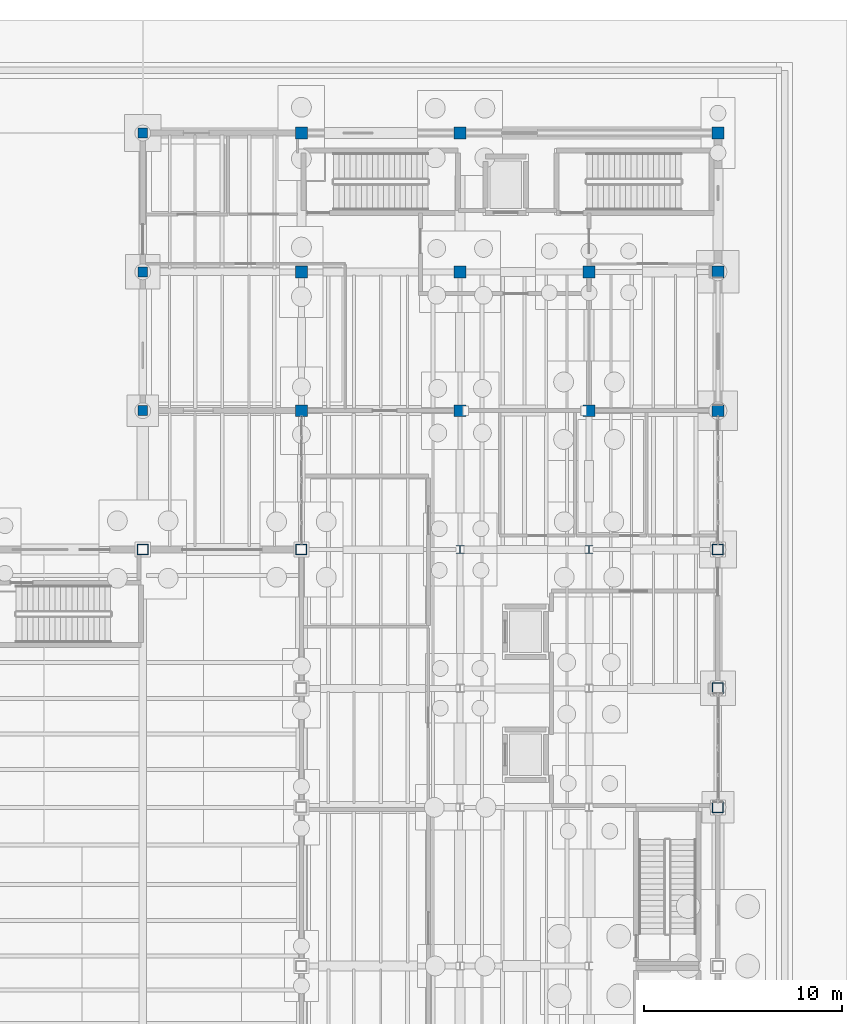
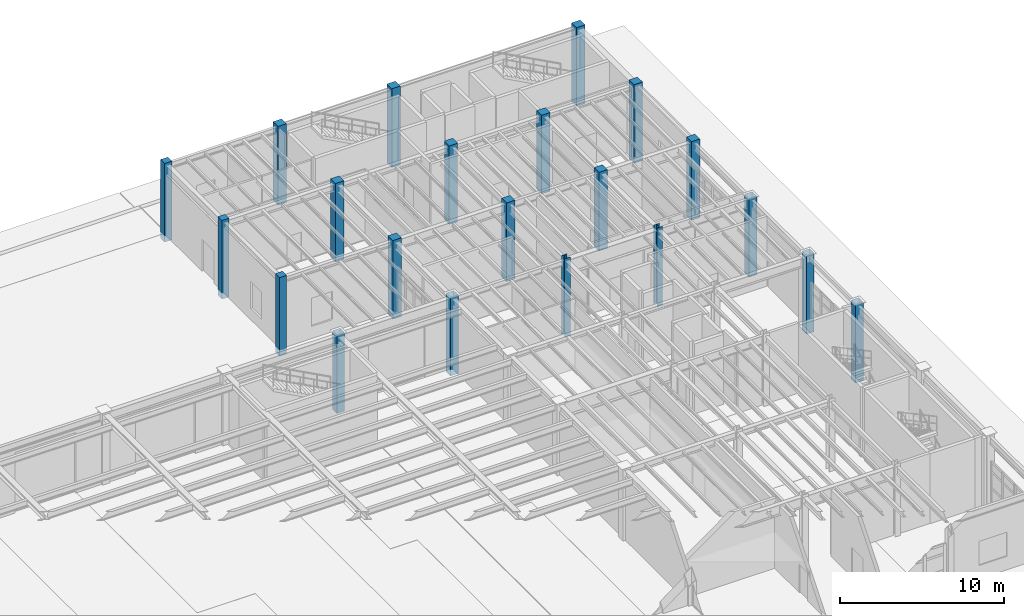
# One storey, part 20 of 86: 21 columns.
"""IFC4 building model written with IfcOpenShell, lengths in metres."""

from ifc_helpers import new_model, si_unit, direction, frame, origin, origin_2d, place, context, subcontext, project, spatial, rectangle, hollow_rectangle, i_section, extrude, material, material_profile, profile_set, type_object, element, save


model = new_model("IFC4")

# Units and contexts
model_context = context("Model", 3, precision=1e-05, world=origin(), true_north=direction((0.0, 1.0)))
body_context = subcontext(model_context, "Body", "Model", "MODEL_VIEW")
ifc_project = project(units=[si_unit("LENGTHUNIT", "METRE"), si_unit("AREAUNIT", "SQUARE_METRE"), si_unit("VOLUMEUNIT", "CUBIC_METRE"), si_unit("PLANEANGLEUNIT", "RADIAN"), si_unit("MASSUNIT", "GRAM", prefix="KILO"), si_unit("THERMODYNAMICTEMPERATUREUNIT", "KELVIN"), si_unit("POWERUNIT", "WATT")], contexts=[model_context])

# Site, building, storey
site_placement = place(None, origin())
site = spatial("IfcSite", under=ifc_project, at=site_placement, CompositionType="ELEMENT")
building_placement = place(site_placement, origin())
building = spatial("IfcBuilding", under=site, at=building_placement, Name="Zhenchuan Central Fire Station", CompositionType="ELEMENT")
storey_placement = place(building_placement, frame((0.0, 0.0, 0.449951171875)))
storey = spatial("IfcBuildingStorey", under=building, at=storey_placement, Name="L01", CompositionType="ELEMENT", Elevation=0.449951171875)

# Columns
ifc_material_1 = material(Name="Steel Q355B", Category="steel")
ifc_material_profile_1 = material_profile(ifc_material_1, hollow_rectangle(XDim=0.550048828125, YDim=0.550048828125, WallThickness=0.02587890625, at=origin_2d()), Name="BOX 550x550x26")
ifc_profile_set_1 = profile_set([ifc_material_profile_1], Name="Steel Q355B")
column_type_1 = type_object("IfcColumnType", Name="COL-BOX550", PredefinedType="COLUMN", material=ifc_profile_set_1)
for number, where, z_axis, x_axis, name in (
    (1, (132.0, 35.5, -0.449951171875), (0.0, 0.0, 1.0), (1.0, 0.0, 0.0), "L01 Column 096"),
    (2, (140.0, 35.5, -0.449951171875), (0.0, 0.0, 1.0), (1.0, 0.0, 0.0), "L01 Column 105"),
):
    element("IfcColumn", number, at=place(storey_placement, frame(where, z_axis=z_axis, x_axis=x_axis)), inside=storey, type_object=column_type_1, Name=name, PredefinedType="COLUMN", context=body_context, shape_type="SweptSolid", body=[
        extrude(hollow_rectangle(XDim=0.550048828125, YDim=0.550048828125, WallThickness=0.02587890625, at=origin_2d()), origin(), (0.0, 0.0, 1.0), 5.85009765625),
    ])
ifc_material_profile_2 = material_profile(ifc_material_1, hollow_rectangle(XDim=0.550048828125, YDim=0.550048828125, WallThickness=0.02587890625, at=origin_2d()), Name="BOX 550x550x26")
ifc_profile_set_2 = profile_set([ifc_material_profile_2], Name="Steel Q355B")
column_type_2 = type_object("IfcColumnType", Name="COL-BOX550-EXT", PredefinedType="COLUMN", material=ifc_profile_set_2)
for number, where, z_axis, x_axis, name in (
    (3, (161.0, 22.5, -0.449951171875), (0.0, 0.0, 1.0), (1.0, 0.0, 0.0), "L01 Column 129"),
    (4, (161.0, 28.5, -0.449951171875), (0.0, 0.0, 1.0), (1.0, 0.0, 0.0), "L01 Column 130"),
    (5, (161.0, 35.5, -0.449951171875), (0.0, 0.0, 1.0), (1.0, 0.0, 0.0), "L01 Column 131"),
):
    element("IfcColumn", number, at=place(storey_placement, frame(where, z_axis=z_axis, x_axis=x_axis)), inside=storey, type_object=column_type_2, Name=name, PredefinedType="COLUMN", context=body_context, shape_type="SweptSolid", body=[
        extrude(hollow_rectangle(XDim=0.550048828125, YDim=0.550048828125, WallThickness=0.02587890625, at=origin_2d()), origin(), (0.0, 0.0, 1.0), 5.85009765625),
    ])
ifc_material_profile_3 = material_profile(ifc_material_1, i_section(OverallWidth=0.39990234375, OverallDepth=0.39990234375, WebThickness=0.012939453125, FlangeThickness=0.02099609375, FilletRadius=0.02197265625, at=origin_2d()), Name="HW 400x400")
ifc_profile_set_3 = profile_set([ifc_material_profile_3], Name="Steel Q355B")
column_type_3 = type_object("IfcColumnType", Name="COL-HW400-INT", PredefinedType="COLUMN", material=ifc_profile_set_3)
for number, where, z_axis, x_axis, name in (
    (6, (148.0, 35.5, -0.449951171875), (0.0, 0.0, 1.0), (1.0, 0.0, 0.0), "L01 Column 114"),
    (7, (154.5, 35.5, -0.449951171875), (0.0, 0.0, 1.0), (1.0, 0.0, 0.0), "L01 Column 123"),
):
    element("IfcColumn", number, at=place(storey_placement, frame(where, z_axis=z_axis, x_axis=x_axis)), inside=storey, type_object=column_type_3, Name=name, PredefinedType="COLUMN", context=body_context, shape_type="SweptSolid", body=[
        extrude(i_section(OverallWidth=0.39990234375, OverallDepth=0.39990234375, WebThickness=0.012939453125, FlangeThickness=0.02099609375, FilletRadius=0.02197265625, at=origin_2d()), origin(), (0.0, 0.0, 1.0), 5.85009765625),
    ])
ifc_material_2 = material(Name="Concrete C40/50", Category="concrete")
ifc_material_profile_4 = material_profile(ifc_material_2, rectangle(XDim=0.5, YDim=0.5, at=origin_2d()), Name="RC 500x500")
ifc_profile_set_4 = profile_set([ifc_material_profile_4], Name="Concrete C40/50")
column_type_4 = type_object("IfcColumnType", Name="COL-RC500", PredefinedType="COLUMN", material=ifc_profile_set_4)
for number, where, z_axis, x_axis, name in (
    (8, (132.0, 42.5, -0.449951171875), (0.0, 0.0, 1.0), (1.0, 0.0, 0.0), "L01 Column 097"),
    (9, (132.0, 49.5, -0.449951171875), (0.0, 0.0, 1.0), (1.0, 0.0, 0.0), "L01 Column 098"),
):
    element("IfcColumn", number, at=place(storey_placement, frame(where, z_axis=z_axis, x_axis=x_axis)), inside=storey, type_object=column_type_4, Name=name, PredefinedType="COLUMN", context=body_context, shape_type="SweptSolid", body=[
        extrude(rectangle(XDim=0.5, YDim=0.5, at=origin_2d()), origin(), (0.0, 0.0, 1.0), 5.85009765625),
    ])
ifc_material_profile_5 = material_profile(ifc_material_2, rectangle(XDim=0.5, YDim=0.5, at=origin_2d()), Name="RC 500x500")
ifc_profile_set_5 = profile_set([ifc_material_profile_5], Name="Concrete C40/50")
column_type_5 = type_object("IfcColumnType", Name="COL-RC500-EXT", PredefinedType="COLUMN", material=ifc_profile_set_5)
column_placement = place(storey_placement, frame((132.0, 56.5, -0.449951171875), z_axis=(0.0, 0.0, 1.0), x_axis=(1.0, 0.0, 0.0)))
element("IfcColumn", 10, at=column_placement, inside=storey, type_object=column_type_5, Name="L01 Column 099", PredefinedType="COLUMN", context=body_context, shape_type="SweptSolid", body=[
    extrude(rectangle(XDim=0.5, YDim=0.5, at=origin_2d()), origin(), (0.0, 0.0, 1.0), 5.85009765625),
])
ifc_material_profile_6 = material_profile(ifc_material_2, rectangle(XDim=0.60009765625, YDim=0.60009765625, at=origin_2d()), Name="RC 600x600")
ifc_profile_set_6 = profile_set([ifc_material_profile_6], Name="Concrete C40/50")
column_type_6 = type_object("IfcColumnType", Name="COL-RC600", PredefinedType="COLUMN", material=ifc_profile_set_6)
for number, where, z_axis, x_axis, name in (
    (11, (140.0, 42.5, -0.449951171875), (0.0, 0.0, 1.0), (1.0, 0.0, 0.0), "L01 Column 106"),
    (12, (140.0, 49.5, -0.449951171875), (0.0, 0.0, 1.0), (1.0, 0.0, 0.0), "L01 Column 107"),
    (13, (148.0, 42.5, -0.449951171875), (0.0, 0.0, 1.0), (1.0, 0.0, 0.0), "L01 Column 115"),
    (14, (148.0, 49.5, -0.449951171875), (0.0, 0.0, 1.0), (1.0, 0.0, 0.0), "L01 Column 116"),
    (15, (154.5, 42.5, -0.449951171875), (0.0, 0.0, 1.0), (1.0, 0.0, 0.0), "L01 Column 124"),
    (16, (154.5, 49.5, -0.449951171875), (0.0, 0.0, 1.0), (1.0, 0.0, 0.0), "L01 Column 125"),
):
    element("IfcColumn", number, at=place(storey_placement, frame(where, z_axis=z_axis, x_axis=x_axis)), inside=storey, type_object=column_type_6, Name=name, PredefinedType="COLUMN", context=body_context, shape_type="SweptSolid", body=[
        extrude(rectangle(XDim=0.60009765625, YDim=0.60009765625, at=origin_2d()), origin(), (0.0, 0.0, 1.0), 5.85009765625),
    ])
ifc_material_profile_7 = material_profile(ifc_material_2, rectangle(XDim=0.60009765625, YDim=0.60009765625, at=origin_2d()), Name="RC 600x600")
ifc_profile_set_7 = profile_set([ifc_material_profile_7], Name="Concrete C40/50")
column_type_7 = type_object("IfcColumnType", Name="COL-RC600-EXT", PredefinedType="COLUMN", material=ifc_profile_set_7)
for number, where, z_axis, x_axis, name in (
    (17, (140.0, 56.5, -0.449951171875), (0.0, 0.0, 1.0), (1.0, 0.0, 0.0), "L01 Column 108"),
    (18, (148.0, 56.5, -0.449951171875), (0.0, 0.0, 1.0), (1.0, 0.0, 0.0), "L01 Column 117"),
    (19, (161.0, 42.5, -0.449951171875), (0.0, 0.0, 1.0), (1.0, 0.0, 0.0), "L01 Column 132"),
    (20, (161.0, 49.5, -0.449951171875), (0.0, 0.0, 1.0), (1.0, 0.0, 0.0), "L01 Column 133"),
    (21, (161.0, 56.5, -0.449951171875), (0.0, 0.0, 1.0), (1.0, 0.0, 0.0), "L01 Column 134"),
):
    element("IfcColumn", number, at=place(storey_placement, frame(where, z_axis=z_axis, x_axis=x_axis)), inside=storey, type_object=column_type_7, Name=name, PredefinedType="COLUMN", context=body_context, shape_type="SweptSolid", body=[
        extrude(rectangle(XDim=0.60009765625, YDim=0.60009765625, at=origin_2d()), origin(), (0.0, 0.0, 1.0), 5.85009765625),
    ])

save(model, "model.ifc")
